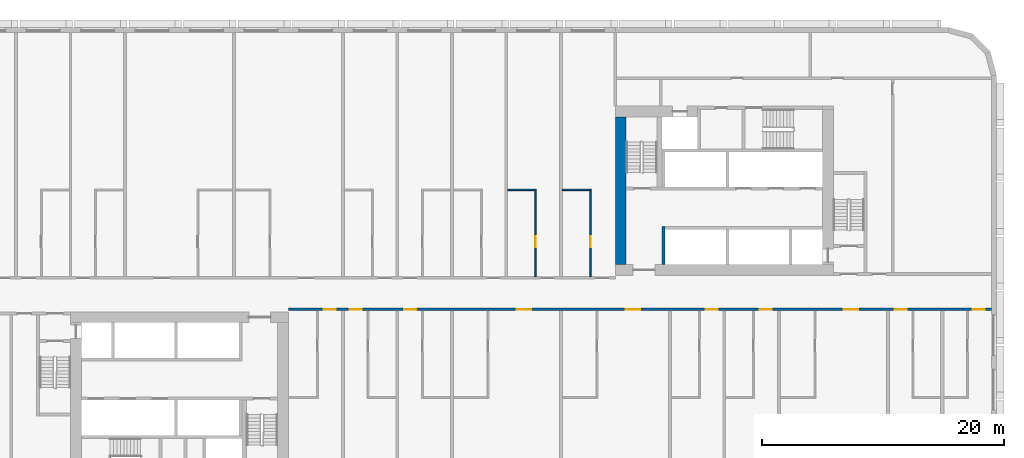
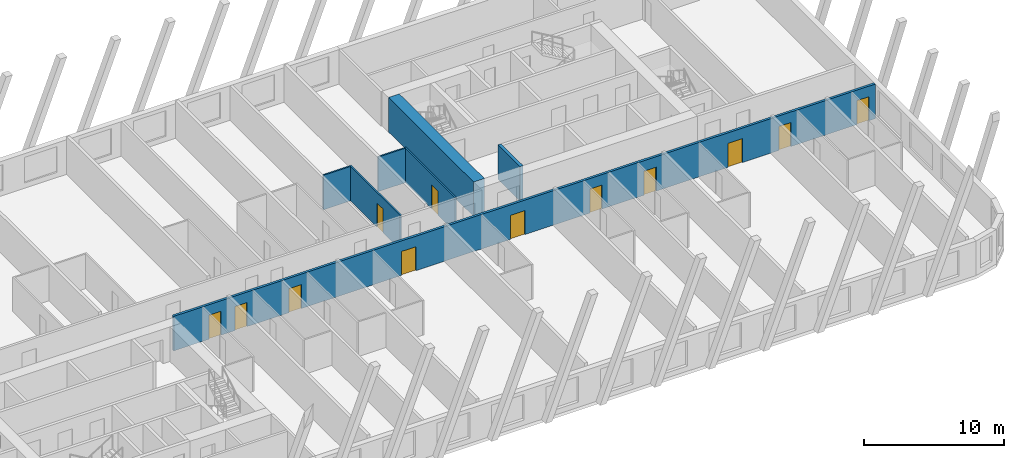
# One storey, part 5 of 13: 12 doors, 7 walls, 12 openings.
"""IFC4 building model written with IfcOpenShell, lengths in metres."""

from ifc_helpers import new_model, si_unit, direction, frame, frame_2d, origin, place, context, subcontext, project, spatial, rectangle, extrude, material, layer, layer_set, type_object, element, fill, save


model = new_model("IFC4")

# Units and contexts
model_context = context("Model", 3, precision=1e-05, world=origin(), true_north=direction((0.0, 1.0)))
body_context = subcontext(model_context, "Body", "Model", "MODEL_VIEW")
ifc_project = project(units=[si_unit("LENGTHUNIT", "METRE"), si_unit("AREAUNIT", "SQUARE_METRE"), si_unit("VOLUMEUNIT", "CUBIC_METRE"), si_unit("PLANEANGLEUNIT", "RADIAN"), si_unit("MASSUNIT", "GRAM", prefix="KILO")], contexts=[model_context])

# Site, building, storey
site_placement = place(None, origin())
site = spatial("IfcSite", under=ifc_project, at=site_placement, CompositionType="ELEMENT")
building_placement = place(site_placement, origin())
building = spatial("IfcBuilding", under=site, at=building_placement, Name="Kajstack Hotel Tower", CompositionType="ELEMENT")
storey_placement = place(building_placement, frame((0.0, 0.0, 69.89990234375)))
storey = spatial("IfcBuildingStorey", under=building, at=storey_placement, Name="L12", CompositionType="ELEMENT", Elevation=69.89990234375)

# Wall
ifc_material_1 = material(Name="Concrete C60/75", Category="concrete")
ifc_layer_1 = layer(ifc_material_1, 0.89990234375)
ifc_layer_set_1 = layer_set([ifc_layer_1], Name="Core wall 900")
wall_type_1 = type_object("IfcWallType", Name="Core wall 900", PredefinedType="SHEAR", material=ifc_layer_set_1)
wall_1_placement = place(storey_placement, frame((13.949951171875, 2.39990234375, 0.0), z_axis=(0.0, 0.0, 1.0), x_axis=(0.0, 1.0, 0.0)))
element("IfcWall", 1, at=wall_1_placement, inside=storey, type_object=wall_type_1, Name="Core wall E RE", PredefinedType="SHEAR", context=body_context, shape_type="SweptSolid", body=[
    extrude(rectangle(XDim=12.2001953125, YDim=0.89990234375, at=frame_2d((6.10009765625, 0.0))), origin(), (0.0, 0.0, 1.0), 3.02001953125),
])

# Wall, openings, doors
ifc_material_2 = material(Name="Gypsum board on steel studs, mineral wool", Category="steel")
ifc_layer_2 = layer(ifc_material_2, 0.199951171875)
ifc_layer_set_2 = layer_set([ifc_layer_2], Name="Corridor wall 200")
wall_type_2 = type_object("IfcWallType", Name="Corridor wall 200", PredefinedType="PARTITIONING", material=ifc_layer_set_2)
wall_2_placement = place(storey_placement, frame((-13.5, -1.300048828125, 0.0), z_axis=(0.0, 0.0, 1.0), x_axis=(1.0, 0.0, 0.0)))
wall_2 = element("IfcWall", 2, at=wall_2_placement, inside=storey, type_object=wall_type_2, Name="G-wall-L12-029", PredefinedType="PARTITIONING", context=body_context, shape_type="SweptSolid", body=[
    extrude(rectangle(XDim=58.050048828125, YDim=0.199951171875, at=frame_2d((29.02490234375, 0.0))), origin(), (0.0, 0.0, 1.0), 3.02001953125),
])
opening_1_placement = place(wall_2_placement, frame((2.925048828125, 0.0, 0.0)))
opening_1 = element("IfcOpeningElement", 3, at=opening_1_placement, cuts=wall_2, Name="Opening 12023", PredefinedType="OPENING", context=body_context, shape_type="SweptSolid", body=[
    extrude(rectangle(XDim=1.0, YDim=2.10009765625, at=frame_2d((0.5, 1.050048828125))), frame((0.0, 0.10986328125, 0.0), z_axis=(0.0, -1.0, 0.0), x_axis=(1.0, 0.0, 0.0)), (0.0, 0.0, 1.0), 0.219970703125),
])
opening_2_placement = place(wall_2_placement, frame((5.074951171875, 0.0, 0.0)))
opening_2 = element("IfcOpeningElement", 4, at=opening_2_placement, cuts=wall_2, Name="Opening 12025", PredefinedType="OPENING", context=body_context, shape_type="SweptSolid", body=[
    extrude(rectangle(XDim=1.0, YDim=2.10009765625, at=frame_2d((0.5, 1.050048828125))), frame((0.0, 0.10986328125, 0.0), z_axis=(0.0, -1.0, 0.0), x_axis=(1.0, 0.0, 0.0)), (0.0, 0.0, 1.0), 0.219970703125),
])
opening_3_placement = place(wall_2_placement, frame((9.550048828125, 0.0, 0.0)))
opening_3 = element("IfcOpeningElement", 5, at=opening_3_placement, cuts=wall_2, Name="Opening 12027", PredefinedType="OPENING", context=body_context, shape_type="SweptSolid", body=[
    extrude(rectangle(XDim=1.0, YDim=2.10009765625, at=frame_2d((0.5, 1.050048828125))), frame((0.0, 0.10986328125, 0.0), z_axis=(0.0, -1.0, 0.0), x_axis=(1.0, 0.0, 0.0)), (0.0, 0.0, 1.0), 0.219970703125),
])
opening_4_placement = place(wall_2_placement, frame((18.862060546875, 0.0, 0.0)))
opening_4 = element("IfcOpeningElement", 6, at=opening_4_placement, cuts=wall_2, Name="Opening 12029", PredefinedType="OPENING", context=body_context, shape_type="SweptSolid", body=[
    extrude(rectangle(XDim=1.199951171875, YDim=2.10009765625, at=frame_2d((0.60009765625, 1.050048828125))), frame((0.0, 0.10986328125, 0.0), z_axis=(0.0, -1.0, 0.0), x_axis=(1.0, 0.0, 0.0)), (0.0, 0.0, 1.0), 0.219970703125),
])
opening_5_placement = place(wall_2_placement, frame((27.862060546875, 0.0, 0.0)))
opening_5 = element("IfcOpeningElement", 7, at=opening_5_placement, cuts=wall_2, Name="Opening 12031", PredefinedType="OPENING", context=body_context, shape_type="SweptSolid", body=[
    extrude(rectangle(XDim=1.199951171875, YDim=2.10009765625, at=frame_2d((0.60009765625, 1.050048828125))), frame((0.0, 0.10986328125, 0.0), z_axis=(0.0, -1.0, 0.0), x_axis=(1.0, 0.0, 0.0)), (0.0, 0.0, 1.0), 0.219970703125),
])
opening_6_placement = place(wall_2_placement, frame((34.449951171875, 0.0, 0.0)))
opening_6 = element("IfcOpeningElement", 8, at=opening_6_placement, cuts=wall_2, Name="Opening 12033", PredefinedType="OPENING", context=body_context, shape_type="SweptSolid", body=[
    extrude(rectangle(XDim=1.0, YDim=2.10009765625, at=frame_2d((0.5, 1.050048828125))), frame((0.0, 0.10986328125, 0.0), z_axis=(0.0, -1.0, 0.0), x_axis=(1.0, 0.0, 0.0)), (0.0, 0.0, 1.0), 0.219970703125),
])
opening_7_placement = place(wall_2_placement, frame((38.925048828125, 0.0, 0.0)))
opening_7 = element("IfcOpeningElement", 9, at=opening_7_placement, cuts=wall_2, Name="Opening 12035", PredefinedType="OPENING", context=body_context, shape_type="SweptSolid", body=[
    extrude(rectangle(XDim=1.0, YDim=2.10009765625, at=frame_2d((0.5, 1.050048828125))), frame((0.0, 0.10986328125, 0.0), z_axis=(0.0, -1.0, 0.0), x_axis=(1.0, 0.0, 0.0)), (0.0, 0.0, 1.0), 0.219970703125),
])
opening_8_placement = place(wall_2_placement, frame((45.862060546875, 0.0, 0.0)))
opening_8 = element("IfcOpeningElement", 10, at=opening_8_placement, cuts=wall_2, Name="Opening 12037", PredefinedType="OPENING", context=body_context, shape_type="SweptSolid", body=[
    extrude(rectangle(XDim=1.199951171875, YDim=2.10009765625, at=frame_2d((0.60009765625, 1.050048828125))), frame((0.0, 0.10986328125, 0.0), z_axis=(0.0, -1.0, 0.0), x_axis=(1.0, 0.0, 0.0)), (0.0, 0.0, 1.0), 0.219970703125),
])
opening_9_placement = place(wall_2_placement, frame((50.074951171875, 0.0, 0.0)))
opening_9 = element("IfcOpeningElement", 11, at=opening_9_placement, cuts=wall_2, Name="Opening 12039", PredefinedType="OPENING", context=body_context, shape_type="SweptSolid", body=[
    extrude(rectangle(XDim=1.0, YDim=2.10009765625, at=frame_2d((0.5, 1.050048828125))), frame((0.0, 0.10986328125, 0.0), z_axis=(0.0, -1.0, 0.0), x_axis=(1.0, 0.0, 0.0)), (0.0, 0.0, 1.0), 0.219970703125),
])
opening_10_placement = place(wall_2_placement, frame((56.52490234375, 0.0, 0.0)))
opening_10 = element("IfcOpeningElement", 12, at=opening_10_placement, cuts=wall_2, Name="Opening 12041", PredefinedType="OPENING", context=body_context, shape_type="SweptSolid", body=[
    extrude(rectangle(XDim=1.0, YDim=2.10009765625, at=frame_2d((0.5, 1.050048828125))), frame((0.0, 0.10986328125, 0.0), z_axis=(0.0, -1.0, 0.0), x_axis=(1.0, 0.0, 0.0)), (0.0, 0.0, 1.0), 0.219970703125),
])
ifc_material_3 = material(Name="Oak veneer on timber core, fire-rated leaf", Category="wood")
door_type_1 = type_object("IfcDoorType", Name="Flat entrance door 1000", OperationType="SINGLE_SWING_LEFT", PredefinedType="DOOR", material=ifc_material_3)
door_1_placement = place(opening_1_placement, origin())
door_1 = element("IfcDoor", 13, at=door_1_placement, inside=storey, type_object=door_type_1, Name="G-door-L12-23", OperationType="SINGLE_SWING_RIGHT", OverallHeight=2.10009765625, OverallWidth=1.0, PredefinedType="DOOR", context=body_context, shape_type="SweptSolid", body=[
    extrude(rectangle(XDim=1.0, YDim=2.10009765625, at=frame_2d((0.5, 1.050048828125))), frame((0.0, 0.02490234375, 0.0), z_axis=(0.0, -1.0, 0.0), x_axis=(1.0, 0.0, 0.0)), (0.0, 0.0, 1.0), 0.050048828125),
])
fill(opening_1, door_1)
door_2_placement = place(opening_2_placement, origin())
door_2 = element("IfcDoor", 14, at=door_2_placement, inside=storey, type_object=door_type_1, Name="G-door-L12-25", OperationType="SINGLE_SWING_RIGHT", OverallHeight=2.10009765625, OverallWidth=1.0, PredefinedType="DOOR", context=body_context, shape_type="SweptSolid", body=[
    extrude(rectangle(XDim=1.0, YDim=2.10009765625, at=frame_2d((0.5, 1.050048828125))), frame((0.0, 0.02490234375, 0.0), z_axis=(0.0, -1.0, 0.0), x_axis=(1.0, 0.0, 0.0)), (0.0, 0.0, 1.0), 0.050048828125),
])
fill(opening_2, door_2)
door_3_placement = place(opening_3_placement, origin())
door_3 = element("IfcDoor", 15, at=door_3_placement, inside=storey, type_object=door_type_1, Name="G-door-L12-27", OperationType="SINGLE_SWING_RIGHT", OverallHeight=2.10009765625, OverallWidth=1.0, PredefinedType="DOOR", context=body_context, shape_type="SweptSolid", body=[
    extrude(rectangle(XDim=1.0, YDim=2.10009765625, at=frame_2d((0.5, 1.050048828125))), frame((0.0, 0.02490234375, 0.0), z_axis=(0.0, -1.0, 0.0), x_axis=(1.0, 0.0, 0.0)), (0.0, 0.0, 1.0), 0.050048828125),
])
fill(opening_3, door_3)
door_4_placement = place(opening_6_placement, origin())
door_4 = element("IfcDoor", 16, at=door_4_placement, inside=storey, type_object=door_type_1, Name="G-door-L12-33", OperationType="SINGLE_SWING_LEFT", OverallHeight=2.10009765625, OverallWidth=1.0, PredefinedType="DOOR", context=body_context, shape_type="SweptSolid", body=[
    extrude(rectangle(XDim=1.0, YDim=2.10009765625, at=frame_2d((0.5, 1.050048828125))), frame((0.0, 0.02490234375, 0.0), z_axis=(0.0, -1.0, 0.0), x_axis=(1.0, 0.0, 0.0)), (0.0, 0.0, 1.0), 0.050048828125),
])
fill(opening_6, door_4)
door_5_placement = place(opening_7_placement, origin())
door_5 = element("IfcDoor", 17, at=door_5_placement, inside=storey, type_object=door_type_1, Name="G-door-L12-35", OperationType="SINGLE_SWING_RIGHT", OverallHeight=2.10009765625, OverallWidth=1.0, PredefinedType="DOOR", context=body_context, shape_type="SweptSolid", body=[
    extrude(rectangle(XDim=1.0, YDim=2.10009765625, at=frame_2d((0.5, 1.050048828125))), frame((0.0, 0.02490234375, 0.0), z_axis=(0.0, -1.0, 0.0), x_axis=(1.0, 0.0, 0.0)), (0.0, 0.0, 1.0), 0.050048828125),
])
fill(opening_7, door_5)
door_6_placement = place(opening_9_placement, origin())
door_6 = element("IfcDoor", 18, at=door_6_placement, inside=storey, type_object=door_type_1, Name="G-door-L12-39", OperationType="SINGLE_SWING_RIGHT", OverallHeight=2.10009765625, OverallWidth=1.0, PredefinedType="DOOR", context=body_context, shape_type="SweptSolid", body=[
    extrude(rectangle(XDim=1.0, YDim=2.10009765625, at=frame_2d((0.5, 1.050048828125))), frame((0.0, 0.02490234375, 0.0), z_axis=(0.0, -1.0, 0.0), x_axis=(1.0, 0.0, 0.0)), (0.0, 0.0, 1.0), 0.050048828125),
])
fill(opening_9, door_6)
door_7_placement = place(opening_10_placement, origin())
door_7 = element("IfcDoor", 19, at=door_7_placement, inside=storey, type_object=door_type_1, Name="G-door-L12-41", OperationType="SINGLE_SWING_LEFT", OverallHeight=2.10009765625, OverallWidth=1.0, PredefinedType="DOOR", context=body_context, shape_type="SweptSolid", body=[
    extrude(rectangle(XDim=1.0, YDim=2.10009765625, at=frame_2d((0.5, 1.050048828125))), frame((0.0, 0.02490234375, 0.0), z_axis=(0.0, -1.0, 0.0), x_axis=(1.0, 0.0, 0.0)), (0.0, 0.0, 1.0), 0.050048828125),
])
fill(opening_10, door_7)
door_type_2 = type_object("IfcDoorType", Name="Flat entrance door 1200", OperationType="SINGLE_SWING_LEFT", PredefinedType="DOOR", material=ifc_material_3)
door_8_placement = place(opening_4_placement, origin())
door_8 = element("IfcDoor", 20, at=door_8_placement, inside=storey, type_object=door_type_2, Name="G-door-L12-29", OperationType="SINGLE_SWING_LEFT", OverallHeight=2.10009765625, OverallWidth=1.199951171875, PredefinedType="DOOR", context=body_context, shape_type="SweptSolid", body=[
    extrude(rectangle(XDim=1.199951171875, YDim=2.10009765625, at=frame_2d((0.60009765625, 1.050048828125))), frame((0.0, 0.02490234375, 0.0), z_axis=(0.0, -1.0, 0.0), x_axis=(1.0, 0.0, 0.0)), (0.0, 0.0, 1.0), 0.050048828125),
])
fill(opening_4, door_8)
door_9_placement = place(opening_5_placement, origin())
door_9 = element("IfcDoor", 21, at=door_9_placement, inside=storey, type_object=door_type_2, Name="G-door-L12-31", OperationType="SINGLE_SWING_RIGHT", OverallHeight=2.10009765625, OverallWidth=1.199951171875, PredefinedType="DOOR", context=body_context, shape_type="SweptSolid", body=[
    extrude(rectangle(XDim=1.199951171875, YDim=2.10009765625, at=frame_2d((0.60009765625, 1.050048828125))), frame((0.0, 0.02490234375, 0.0), z_axis=(0.0, -1.0, 0.0), x_axis=(1.0, 0.0, 0.0)), (0.0, 0.0, 1.0), 0.050048828125),
])
fill(opening_5, door_9)
door_10_placement = place(opening_8_placement, origin())
door_10 = element("IfcDoor", 22, at=door_10_placement, inside=storey, type_object=door_type_2, Name="G-door-L12-37", OperationType="SINGLE_SWING_LEFT", OverallHeight=2.10009765625, OverallWidth=1.199951171875, PredefinedType="DOOR", context=body_context, shape_type="SweptSolid", body=[
    extrude(rectangle(XDim=1.199951171875, YDim=2.10009765625, at=frame_2d((0.60009765625, 1.050048828125))), frame((0.0, 0.02490234375, 0.0), z_axis=(0.0, -1.0, 0.0), x_axis=(1.0, 0.0, 0.0)), (0.0, 0.0, 1.0), 0.050048828125),
])
fill(opening_8, door_10)

# Wall, opening, door
ifc_material_4 = material(Name="Gypsum board and tiled backer on steel studs", Category="steel")
ifc_layer_3 = layer(ifc_material_4, 0.125)
ifc_layer_set_3 = layer_set([ifc_layer_3], Name="En-suite wall 125")
wall_type_3 = type_object("IfcWallType", Name="En-suite wall 125", PredefinedType="PARTITIONING", material=ifc_layer_set_3)
wall_3_placement = place(storey_placement, frame((6.912109375, 1.39990234375, 0.0), z_axis=(0.0, 0.0, 1.0), x_axis=(0.0, 1.0, 0.0)))
wall_3 = element("IfcWall", 23, at=wall_3_placement, inside=storey, type_object=wall_type_3, Name="G-wall-L12-025", PredefinedType="PARTITIONING", context=body_context, shape_type="SweptSolid", body=[
    extrude(rectangle(XDim=7.22509765625, YDim=0.125, at=frame_2d((3.612548828125, 0.0))), origin(), (0.0, 0.0, 1.0), 3.02001953125),
])
opening_11_placement = place(wall_3_placement, frame((2.449951171875, 0.0, 0.0)))
opening_11 = element("IfcOpeningElement", 24, at=opening_11_placement, cuts=wall_3, Name="Opening 12020", PredefinedType="OPENING", context=body_context, shape_type="SweptSolid", body=[
    extrude(rectangle(XDim=0.89990234375, YDim=2.10009765625, at=frame_2d((0.449951171875, 1.050048828125))), frame((0.0, 0.072509765625, 0.0), z_axis=(0.0, -1.0, 0.0), x_axis=(1.0, 0.0, 0.0)), (0.0, 0.0, 1.0), 0.14501953125),
])
ifc_material_5 = material(Name="Painted timber door leaf", Category="wood")
door_type_3 = type_object("IfcDoorType", Name="Room door 900", OperationType="SINGLE_SWING_LEFT", PredefinedType="DOOR", material=ifc_material_5)
door_11_placement = place(opening_11_placement, origin())
door_11 = element("IfcDoor", 25, at=door_11_placement, inside=storey, type_object=door_type_3, Name="G-door-L12-20", OperationType="SINGLE_SWING_RIGHT", OverallHeight=2.10009765625, OverallWidth=0.89990234375, PredefinedType="DOOR", context=body_context, shape_type="SweptSolid", body=[
    extrude(rectangle(XDim=0.89990234375, YDim=2.10009765625, at=frame_2d((0.449951171875, 1.050048828125))), frame((0.0, 0.02490234375, 0.0), z_axis=(0.0, -1.0, 0.0), x_axis=(1.0, 0.0, 0.0)), (0.0, 0.0, 1.0), 0.050048828125),
])
fill(opening_11, door_11)

# Wall
wall_4_placement = place(storey_placement, frame((4.60009765625, 8.56201171875, 0.0), z_axis=(0.0, 0.0, 1.0), x_axis=(1.0, 0.0, 0.0)))
element("IfcWall", 26, at=wall_4_placement, inside=storey, type_object=wall_type_3, Name="G-wall-L12-026", PredefinedType="PARTITIONING", context=body_context, shape_type="SweptSolid", body=[
    extrude(rectangle(XDim=2.25, YDim=0.125, at=frame_2d((1.125, 0.0))), origin(), (0.0, 0.0, 1.0), 3.02001953125),
])

# Wall, opening, door
wall_5_placement = place(storey_placement, frame((11.43798828125, 1.39990234375, 0.0), z_axis=(0.0, 0.0, 1.0), x_axis=(0.0, 1.0, 0.0)))
wall_5 = element("IfcWall", 27, at=wall_5_placement, inside=storey, type_object=wall_type_3, Name="G-wall-L12-027", PredefinedType="PARTITIONING", context=body_context, shape_type="SweptSolid", body=[
    extrude(rectangle(XDim=7.22509765625, YDim=0.125, at=frame_2d((3.612548828125, 0.0))), origin(), (0.0, 0.0, 1.0), 3.02001953125),
])
opening_12_placement = place(wall_5_placement, frame((2.449951171875, 0.0, 0.0)))
opening_12 = element("IfcOpeningElement", 28, at=opening_12_placement, cuts=wall_5, Name="Opening 12022", PredefinedType="OPENING", context=body_context, shape_type="SweptSolid", body=[
    extrude(rectangle(XDim=0.89990234375, YDim=2.10009765625, at=frame_2d((0.449951171875, 1.050048828125))), frame((0.0, 0.072509765625, 0.0), z_axis=(0.0, -1.0, 0.0), x_axis=(1.0, 0.0, 0.0)), (0.0, 0.0, 1.0), 0.14501953125),
])
door_12_placement = place(opening_12_placement, origin())
door_12 = element("IfcDoor", 29, at=door_12_placement, inside=storey, type_object=door_type_3, Name="G-door-L12-22", OperationType="SINGLE_SWING_RIGHT", OverallHeight=2.10009765625, OverallWidth=0.89990234375, PredefinedType="DOOR", context=body_context, shape_type="SweptSolid", body=[
    extrude(rectangle(XDim=0.89990234375, YDim=2.10009765625, at=frame_2d((0.449951171875, 1.050048828125))), frame((0.0, 0.02490234375, 0.0), z_axis=(0.0, -1.0, 0.0), x_axis=(1.0, 0.0, 0.0)), (0.0, 0.0, 1.0), 0.050048828125),
])
fill(opening_12, door_12)

# Walls
wall_6_placement = place(storey_placement, frame((9.125, 8.56201171875, 0.0), z_axis=(0.0, 0.0, 1.0), x_axis=(1.0, 0.0, 0.0)))
element("IfcWall", 30, at=wall_6_placement, inside=storey, type_object=wall_type_3, Name="G-wall-L12-028", PredefinedType="PARTITIONING", context=body_context, shape_type="SweptSolid", body=[
    extrude(rectangle(XDim=2.25, YDim=0.125, at=frame_2d((1.125, 0.0))), origin(), (0.0, 0.0, 1.0), 3.02001953125),
])
ifc_material_6 = material(Name="Concrete C50/60", Category="concrete")
ifc_layer_4 = layer(ifc_material_6, 0.25)
ifc_layer_set_4 = layer_set([ifc_layer_4], Name="Shaft wall 250")
wall_type_4 = type_object("IfcWallType", Name="Shaft wall 250", PredefinedType="SHEAR", material=ifc_layer_set_4)
wall_7_placement = place(storey_placement, frame((17.47509765625, 2.39990234375, 0.0), z_axis=(0.0, 0.0, 1.0), x_axis=(0.0, 1.0, 0.0)))
element("IfcWall", 31, at=wall_7_placement, inside=storey, type_object=wall_type_4, Name="Core wall E AE", PredefinedType="SHEAR", context=body_context, shape_type="SweptSolid", body=[
    extrude(rectangle(XDim=3.150146484375, YDim=0.25, at=frame_2d((1.5751953125, 0.0))), origin(), (0.0, 0.0, 1.0), 3.02001953125),
])

save(model, "model.ifc")
